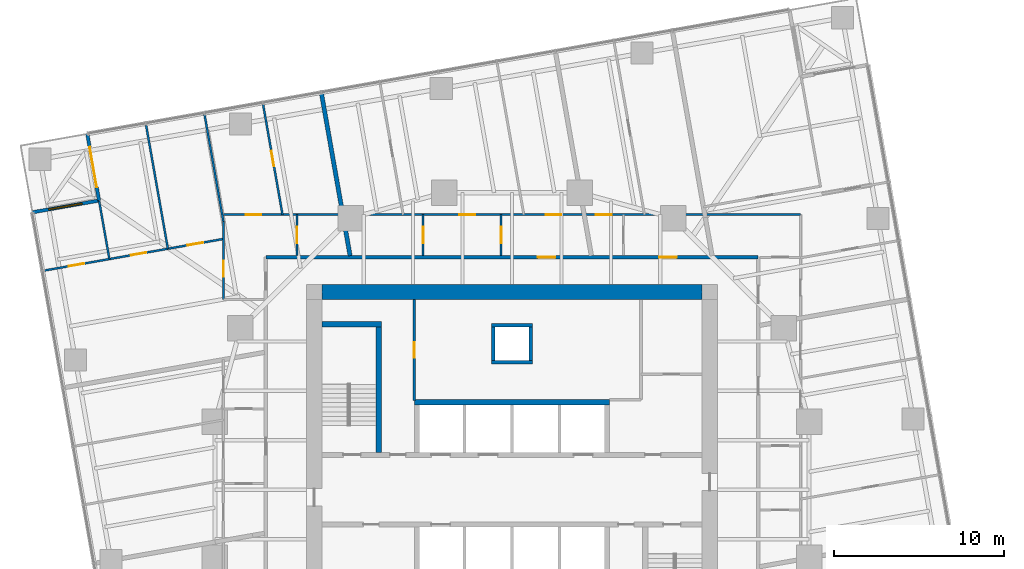
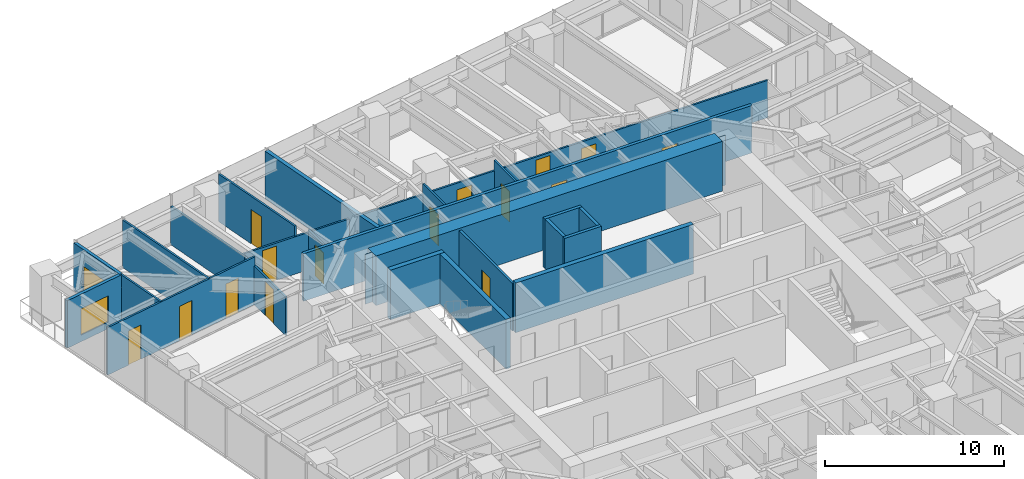
# One storey, part 12 of 14: 23 walls, 16 doors, 1 window, 17 openings.
"""IFC4 building model written with IfcOpenShell, lengths in metres."""

import ifcopenshell
import ifcopenshell.guid

model = None  # the IFC model being written
_history = None  # IfcOwnerHistory: only IFC2X3 demands one
_inside = {}  # id of a spatial element -> (the spatial element, [elements in it])
_under = {}  # id of a project, library or spatial element -> (it, [spatial elements below it])
_declared = {}  # id of a project -> (the project, [libraries it declares])
_typed = {}  # id of a type object -> (the type object, [elements of that type])
_made_of = {}  # id of a material, layer set ... -> (it, [elements and type objects made of it])


def new_model(schema):
    """Start an empty IFC model of exactly this schema.

    Asked for "IFC4X3", IfcOpenShell would pick the latest addendum, in which some entities
    have other attributes; the version numbers below select the first issue.
    IFC2X3 requires an IfcOwnerHistory on every rooted entity: one is made here for all.
    """
    global model, _history
    if schema == "IFC4X3":
        model = ifcopenshell.file(schema_version=(4, 3, 0, 0))
    else:
        model = ifcopenshell.file(schema=schema)
    _inside.clear()
    _under.clear()
    _declared.clear()
    _typed.clear()
    _made_of.clear()
    _history = None
    if model.schema == "IFC2X3":
        org = make("IfcOrganization", Name="unknown")
        user = make(
            "IfcPersonAndOrganization",
            ThePerson=make("IfcPerson", FamilyName="unknown"),
            TheOrganization=org,
        )
        app = make(
            "IfcApplication",
            ApplicationDeveloper=org,
            Version="unknown",
            ApplicationFullName="unknown",
            ApplicationIdentifier="unknown",
        )
        _history = make(
            "IfcOwnerHistory",
            OwningUser=user,
            OwningApplication=app,
            ChangeAction="ADDED",
            CreationDate=0,
        )
    return model


def make(cls, **values):
    """One entity of the class cls with the attributes given. An attribute that is None is left unset."""
    return model.create_entity(
        cls, **{name: value for name, value in values.items() if value is not None}
    )


def rooted(cls, **values):
    """An entity with a GlobalId (a new one), such as an element, a storey or a relation."""
    return make(cls, GlobalId=ifcopenshell.guid.new(), OwnerHistory=_history, **values)


def si_unit(unit_type, name, prefix=None):
    """IfcSIUnit, for example si_unit("LENGTHUNIT", "METRE", prefix="MILLI")."""
    return make("IfcSIUnit", UnitType=unit_type, Prefix=prefix, Name=name)


def assignment(units):
    """IfcUnitAssignment: the units of a project."""
    return None if units is None else make("IfcUnitAssignment", Units=units)


def point(xyz):
    """IfcCartesianPoint."""
    return None if xyz is None else make("IfcCartesianPoint", Coordinates=xyz)


def direction(xyz):
    """IfcDirection."""
    return None if xyz is None else make("IfcDirection", DirectionRatios=xyz)


def frame(location, z_axis=None, x_axis=None):
    """IfcAxis2Placement3D, a coordinate frame: its origin and axes. An axis left out is left unset."""
    return make(
        "IfcAxis2Placement3D",
        Location=point(location),
        Axis=direction(z_axis),
        RefDirection=direction(x_axis),
    )


def frame_2d(location, x_axis=None):
    """IfcAxis2Placement2D, a coordinate frame in the plane: its origin and x axis."""
    return make(
        "IfcAxis2Placement2D", Location=point(location), RefDirection=direction(x_axis)
    )


def origin():
    """The frame at (0, 0, 0) with its axes left unset."""
    return frame((0.0, 0.0, 0.0))


def place(relative_to, where):
    """IfcLocalPlacement: puts the frame where relative to a parent placement (None: the world)."""
    return make(
        "IfcLocalPlacement", PlacementRelTo=relative_to, RelativePlacement=where
    )


def context(
    kind, dimensions, precision=None, world=None, true_north=None, identifier=None
):
    """IfcGeometricRepresentationContext, for example the 3D "Model" context."""
    return make(
        "IfcGeometricRepresentationContext",
        ContextIdentifier=identifier,
        ContextType=kind,
        CoordinateSpaceDimension=dimensions,
        Precision=precision,
        WorldCoordinateSystem=world,
        TrueNorth=true_north,
    )


def subcontext(parent, identifier, kind, view, scale=None):
    """IfcGeometricRepresentationSubContext, for example "Body" below "Model"."""
    return make(
        "IfcGeometricRepresentationSubContext",
        ContextIdentifier=identifier,
        ContextType=kind,
        ParentContext=parent,
        TargetScale=scale,
        TargetView=view,
    )


def project(units=None, contexts=None):
    """IfcProject with its units and contexts."""
    return rooted(
        "IfcProject",
        Name="project",
        RepresentationContexts=contexts,
        UnitsInContext=assignment(units),
    )


def spatial(cls, under=None, at=None, **own):
    """A site, building, storey or space (cls), placed at a placement, below another one or the project."""
    s = rooted(cls, ObjectPlacement=at, **own)
    if under is not None:
        _under.setdefault(under.id(), (under, []))[1].append(s)
    return s


def polyline(points):
    """IfcPolyline through the points."""
    return make("IfcPolyline", Points=[point(p) for p in points])


def profile(cls, at=None, kind="AREA", **sizes):
    """A parametric profile (cls). Its sizes go by their IFC names, for example OverallWidth=200.0."""
    return make(cls, ProfileType=kind, Position=at, **sizes)


def rectangle(**sizes):
    """IfcRectangleProfileDef."""
    return profile("IfcRectangleProfileDef", **sizes)


def outline(outer, holes=None, kind="AREA"):
    """IfcArbitraryClosedProfileDef: a profile drawn as a closed curve; with holes, ...WithVoids."""
    if holes is None:
        return make("IfcArbitraryClosedProfileDef", ProfileType=kind, OuterCurve=outer)
    return make(
        "IfcArbitraryProfileDefWithVoids",
        ProfileType=kind,
        OuterCurve=outer,
        InnerCurves=holes,
    )


def extrude(swept, where, along, depth):
    """IfcExtrudedAreaSolid: the profile swept, set in the frame where, extruded along a direction by depth."""
    return make(
        "IfcExtrudedAreaSolid",
        SweptArea=swept,
        Position=where,
        ExtrudedDirection=direction(along),
        Depth=depth,
    )


def shape(context_of_items, identifier, shape_type, items):
    """IfcShapeRepresentation: the items that make up one representation, for example the "Body"."""
    return make(
        "IfcShapeRepresentation",
        ContextOfItems=context_of_items,
        RepresentationIdentifier=identifier,
        RepresentationType=shape_type,
        Items=items,
    )


def material(Name=None, Category=None):
    """IfcMaterial."""
    return make("IfcMaterial", Name=Name, Category=Category)


def layer(
    of_material, thickness, ventilated=None, Name=None, Category=None, Priority=None
):
    """IfcMaterialLayer: one layer of a wall or slab, of a material (None: an air gap)."""
    return make(
        "IfcMaterialLayer",
        Material=of_material,
        LayerThickness=thickness,
        IsVentilated=ventilated,
        Name=Name,
        Category=Category,
        Priority=Priority,
    )


def layer_set(layers, Name=None):
    """IfcMaterialLayerSet."""
    return make("IfcMaterialLayerSet", MaterialLayers=layers, LayerSetName=Name)


def made_of(thing, what):
    """Note that an element or type object is made of a material, layer set ...; save() writes the relation."""
    if what is not None:
        _made_of.setdefault(what.id(), (what, []))[1].append(thing)
    return thing


def type_object(cls, material=None, **own):
    """A type object (cls), such as IfcWallType, which elements share."""
    return made_of(rooted(cls, **own), material)


def element(
    cls,
    number,
    at=None,
    inside=None,
    cuts=None,
    type_object=None,
    material=None,
    context=None,
    identifier="Body",
    shape_type=None,
    held_by="IfcProductDefinitionShape",
    body=None,
    shapes=None,
    **own,
):
    """One element of the class cls, such as IfcWall. Its Tag is "e" and its number.

    at: its placement. inside: the storey or other place that contains it. cuts: it is an
    opening in that element (IfcRelVoidsElement). A single representation is given by context,
    identifier, shape_type and body (its items); several are given by shapes. held_by: the class
    of the entity that holds the representations. save() writes the other relations.
    """
    e = rooted(cls, Tag="e%d" % number, ObjectPlacement=at, **own)
    if body is not None:
        shapes = [shape(context, identifier, shape_type, body)]
    if shapes is not None:
        e.Representation = make(held_by, Representations=shapes)
    if inside is not None:
        _inside.setdefault(inside.id(), (inside, []))[1].append(e)
    if cuts is not None:
        rooted(
            "IfcRelVoidsElement", RelatingBuildingElement=cuts, RelatedOpeningElement=e
        )
    if type_object is not None:
        _typed.setdefault(type_object.id(), (type_object, []))[1].append(e)
    return made_of(e, material)


def fill(opening, filler):
    """IfcRelFillsElement: the door or window that sits in an opening."""
    return rooted(
        "IfcRelFillsElement",
        RelatingOpeningElement=opening,
        RelatedBuildingElement=filler,
    )


def aggregate(whole, parts):
    """IfcRelAggregates: a whole, such as a stair, and the parts it consists of."""
    return rooted("IfcRelAggregates", RelatingObject=whole, RelatedObjects=parts)


def save(model, path):
    """Write the relations noted so far, then the file.

    IfcRelAggregates (storeys below a building ...), IfcRelContainedInSpatialStructure (elements
    in a storey), IfcRelDefinesByType, IfcRelAssociatesMaterial and IfcRelDeclares: one each for
    every whole, place, type object, material and project.
    """
    for whole, parts in _under.values():
        aggregate(whole, parts)
    for where, things in _inside.values():
        rooted(
            "IfcRelContainedInSpatialStructure",
            RelatedElements=things,
            RelatingStructure=where,
        )
    for kind, things in _typed.values():
        rooted("IfcRelDefinesByType", RelatedObjects=things, RelatingType=kind)
    for what, things in _made_of.values():
        rooted("IfcRelAssociatesMaterial", RelatedObjects=things, RelatingMaterial=what)
    for by, libraries in _declared.values():
        rooted("IfcRelDeclares", RelatingContext=by, RelatedDefinitions=libraries)
    model.write(path)


model = new_model("IFC4")

# Units and contexts
model_context = context("Model", 3, precision=1e-05, world=origin(), true_north=direction((0.0, 1.0)))
body_context = subcontext(model_context, "Body", "Model", "MODEL_VIEW")
ifc_project = project(units=[si_unit("LENGTHUNIT", "METRE"), si_unit("AREAUNIT", "SQUARE_METRE"), si_unit("VOLUMEUNIT", "CUBIC_METRE"), si_unit("PLANEANGLEUNIT", "RADIAN"), si_unit("MASSUNIT", "GRAM", prefix="KILO")], contexts=[model_context])

# Site, building, storey
site_placement = place(None, origin())
site = spatial("IfcSite", under=ifc_project, at=site_placement, CompositionType="ELEMENT")
building_placement = place(site_placement, origin())
building = spatial("IfcBuilding", under=site, at=building_placement, Name="Torsade Residences", CompositionType="ELEMENT")
storey_placement = place(building_placement, frame((0.0, 0.0, 93.0)))
storey = spatial("IfcBuildingStorey", under=building, at=storey_placement, Name="L25", CompositionType="ELEMENT", Elevation=93.0)

# Walls
ifc_material_1 = material(Name="Concrete 80 MPa", Category="concrete")
ifc_layer_1 = layer(ifc_material_1, 0.300048828125)
ifc_layer_set_1 = layer_set([ifc_layer_1], Name="Concrete 80 MPa")
wall_type_1 = type_object("IfcWallType", Name="CORE INTERNAL WALL 300", PredefinedType="SHEAR", material=ifc_layer_set_1)
wall_1_placement = place(storey_placement, frame((34.25, 35.14990234375, 0.0), z_axis=(0.0, 0.0, 1.0), x_axis=(1.0, 0.0, 0.0)))
element("IfcWall", 1, at=wall_1_placement, inside=storey, type_object=wall_type_1, Name="Core wall BN L25", PredefinedType="SHEAR", context=body_context, shape_type="SweptSolid", body=[
    extrude(rectangle(XDim=11.5, YDim=0.300048828125, at=frame_2d((5.75, 0.0))), origin(), (0.0, 0.0, 1.0), 3.39990234375),
])
wall_2_placement = place(storey_placement, frame((32.14990234375, 32.199951171875, 0.0), z_axis=(0.0, 0.0, 1.0), x_axis=(0.0, 1.0, 0.0)))
element("IfcWall", 2, at=wall_2_placement, inside=storey, type_object=wall_type_1, Name="Core wall ST1E L25", PredefinedType="SHEAR", context=body_context, shape_type="SweptSolid", body=[
    extrude(rectangle(XDim=7.699951171875, YDim=0.300048828125, at=frame_2d((3.85009765625, 0.0))), origin(), (0.0, 0.0, 1.0), 3.39990234375),
])
wall_3_placement = place(storey_placement, frame((28.800048828125, 39.75, 0.0), z_axis=(0.0, 0.0, 1.0), x_axis=(1.0, 0.0, 0.0)))
element("IfcWall", 3, at=wall_3_placement, inside=storey, type_object=wall_type_1, Name="Core wall ST1N L25", PredefinedType="SHEAR", context=body_context, shape_type="SweptSolid", body=[
    extrude(rectangle(XDim=3.5, YDim=0.300048828125, at=frame_2d((1.75, 0.0))), origin(), (0.0, 0.0, 1.0), 3.39990234375),
])
ifc_material_2 = material(Name="Concrete 80 MPa", Category="concrete")
ifc_layer_2 = layer(ifc_material_2, 0.89990234375)
ifc_layer_set_2 = layer_set([ifc_layer_2], Name="Concrete 80 MPa")
wall_type_2 = type_object("IfcWallType", Name="CORE WALL 900", PredefinedType="SHEAR", material=ifc_layer_set_2)
wall_4_placement = place(storey_placement, frame((28.800048828125, 41.64990234375, 0.0), z_axis=(0.0, 0.0, 1.0), x_axis=(1.0, 0.0, 0.0)))
element("IfcWall", 4, at=wall_4_placement, inside=storey, type_object=wall_type_2, Name="Core wall N L25", PredefinedType="SHEAR", context=body_context, shape_type="SweptSolid", body=[
    extrude(outline(polyline([(0.0, -0.449951171875), (22.39990234375, -0.449951171875), (22.39990234375, -0.02490234375), (22.849853515625, -0.02490234375), (22.849853515625, 0.02490234375), (22.39990234375, 0.02490234375), (22.39990234375, 0.449951171875), (0.0, 0.449951171875), (0.0, 0.02490234375), (-0.449951171875, 0.02490234375), (-0.449951171875, -0.02490234375), (0.0, -0.02490234375), (0.0, -0.449951171875)])), origin(), (0.0, 0.0, 1.0), 3.39990234375),
])

# Wall, openings, doors
ifc_material_3 = material(Name="Plasterboard on steel stud", Category="steel")
ifc_layer_3 = layer(ifc_material_3, 0.199951171875)
ifc_layer_set_3 = layer_set([ifc_layer_3], Name="Plasterboard on steel stud")
wall_type_3 = type_object("IfcWallType", Name="CORRIDOR WALL 200", PredefinedType="PARTITIONING", material=ifc_layer_set_3)
wall_5_placement = place(storey_placement, frame((54.5, 43.699951171875, 0.0), z_axis=(0.0, 0.0, 1.0), x_axis=(-1.0, 0.0, 0.0)))
wall_5 = element("IfcWall", 5, at=wall_5_placement, inside=storey, type_object=wall_type_3, Name="Corridor wall L25", PredefinedType="PARTITIONING", context=body_context, shape_type="SweptSolid", body=[
    extrude(rectangle(XDim=29.0, YDim=0.199951171875, at=frame_2d((14.5, 0.0))), origin(), (0.0, 0.0, 1.0), 3.25),
])
opening_1_placement = place(wall_5_placement, frame((11.95068359375, 0.0, 0.0)))
opening_1 = element("IfcOpeningElement", 6, at=opening_1_placement, cuts=wall_5, Name="Opening D01", PredefinedType="OPENING", context=body_context, shape_type="SweptSolid", body=[
    extrude(rectangle(XDim=1.02001953125, YDim=2.340087890625, at=frame_2d((0.510009765625, 1.169921875))), frame((0.0, 0.10986328125, 0.0), z_axis=(0.0, -1.0, 0.0), x_axis=(1.0, 0.0, 0.0)), (0.0, 0.0, 1.0), 0.219970703125),
])
opening_2_placement = place(wall_5_placement, frame((4.79541015625, 0.0, 0.0)))
opening_2 = element("IfcOpeningElement", 7, at=opening_2_placement, cuts=wall_5, Name="Opening D01", PredefinedType="OPENING", context=body_context, shape_type="SweptSolid", body=[
    extrude(rectangle(XDim=1.02001953125, YDim=2.340087890625, at=frame_2d((0.510009765625, 1.169921875))), frame((0.0, 0.10986328125, 0.0), z_axis=(0.0, -1.0, 0.0), x_axis=(1.0, 0.0, 0.0)), (0.0, 0.0, 1.0), 0.219970703125),
])
ifc_material_4 = material(Name="Solid-core timber fire door", Category="wood")
door_type_1 = type_object("IfcDoorType", Name="APARTMENT ENTRY DOOR 1020x2340", OperationType="NOTDEFINED", PredefinedType="DOOR", material=ifc_material_4)
door_1_placement = place(opening_1_placement, origin())
door_1 = element("IfcDoor", 8, at=door_1_placement, inside=storey, type_object=door_type_1, Name="Door Residential corridor to Kitchen and dining", OperationType="SINGLE_SWING_LEFT", OverallHeight=2.340087890625, OverallWidth=1.02001953125, PredefinedType="DOOR", context=body_context, shape_type="SweptSolid", body=[
    extrude(rectangle(XDim=1.02001953125, YDim=2.340087890625, at=frame_2d((0.510009765625, 1.169921875))), frame((0.0, 0.02490234375, 0.0), z_axis=(0.0, -1.0, 0.0), x_axis=(1.0, 0.0, 0.0)), (0.0, 0.0, 1.0), 0.050048828125),
])
fill(opening_1, door_1)
door_2_placement = place(opening_2_placement, origin())
door_2 = element("IfcDoor", 9, at=door_2_placement, inside=storey, type_object=door_type_1, Name="Door Residential corridor to Kitchen and dining", OperationType="SINGLE_SWING_RIGHT", OverallHeight=2.340087890625, OverallWidth=1.02001953125, PredefinedType="DOOR", context=body_context, shape_type="SweptSolid", body=[
    extrude(rectangle(XDim=1.02001953125, YDim=2.340087890625, at=frame_2d((0.510009765625, 1.169921875))), frame((0.0, 0.02490234375, 0.0), z_axis=(0.0, -1.0, 0.0), x_axis=(1.0, 0.0, 0.0)), (0.0, 0.0, 1.0), 0.050048828125),
])
fill(opening_2, door_2)

ifc_material_5 = material(Name="Plasterboard on steel stud", Category="steel")
ifc_layer_4 = layer(ifc_material_5, 0.1201171875)
ifc_layer_set_4 = layer_set([ifc_layer_4], Name="Plasterboard on steel stud")
wall_type_4 = type_object("IfcWallType", Name="PARTITION 120", PredefinedType="PARTITIONING", material=ifc_layer_set_4)
wall_6_placement = place(storey_placement, frame((23.0, 46.199951171875, 0.0), z_axis=(0.0, 0.0, 1.0), x_axis=(1.0, 0.0, 0.0)))
wall_6 = element("IfcWall", 10, at=wall_6_placement, inside=storey, type_object=wall_type_4, Name="Partition L25", PredefinedType="PARTITIONING", context=body_context, shape_type="SweptSolid", body=[
    extrude(rectangle(XDim=34.0, YDim=0.1201171875, at=frame_2d((17.0, 0.0))), origin(), (0.0, 0.0, 1.0), 2.550048828125),
])
opening_3_placement = place(wall_6_placement, frame((18.989013671875, 0.0, 0.0)))
opening_3 = element("IfcOpeningElement", 11, at=opening_3_placement, cuts=wall_6, Name="Opening D02", PredefinedType="OPENING", context=body_context, shape_type="SweptSolid", body=[
    extrude(rectangle(XDim=0.919921875, YDim=2.340087890625, at=frame_2d((0.4599609375, 1.169921875))), frame((0.0, 0.070068359375, 0.0), z_axis=(0.0, -1.0, 0.0), x_axis=(1.0, 0.0, 0.0)), (0.0, 0.0, 1.0), 0.14013671875),
])
opening_4_placement = place(wall_6_placement, frame((1.30615234375, 0.0, 0.0)))
opening_4 = element("IfcOpeningElement", 12, at=opening_4_placement, cuts=wall_6, Name="Opening D02", PredefinedType="OPENING", context=body_context, shape_type="SweptSolid", body=[
    extrude(rectangle(XDim=0.919921875, YDim=2.340087890625, at=frame_2d((0.4599609375, 1.169921875))), frame((0.0, 0.070068359375, 0.0), z_axis=(0.0, -1.0, 0.0), x_axis=(1.0, 0.0, 0.0)), (0.0, 0.0, 1.0), 0.14013671875),
])
opening_5_placement = place(wall_6_placement, frame((13.883544921875, 0.0, 0.0)))
opening_5 = element("IfcOpeningElement", 13, at=opening_5_placement, cuts=wall_6, Name="Opening D05", PredefinedType="OPENING", context=body_context, shape_type="SweptSolid", body=[
    extrude(rectangle(XDim=0.9599609375, YDim=2.10009765625, at=frame_2d((0.47998046875, 1.050048828125))), frame((0.0, 0.070068359375, 0.0), z_axis=(0.0, -1.0, 0.0), x_axis=(1.0, 0.0, 0.0)), (0.0, 0.0, 1.0), 0.14013671875),
])
opening_6_placement = place(wall_6_placement, frame((21.929443359375, 0.0, 0.0)))
opening_6 = element("IfcOpeningElement", 14, at=opening_6_placement, cuts=wall_6, Name="Opening D05", PredefinedType="OPENING", context=body_context, shape_type="SweptSolid", body=[
    extrude(rectangle(XDim=0.9599609375, YDim=2.10009765625, at=frame_2d((0.47998046875, 1.050048828125))), frame((0.0, 0.070068359375, 0.0), z_axis=(0.0, -1.0, 0.0), x_axis=(1.0, 0.0, 0.0)), (0.0, 0.0, 1.0), 0.14013671875),
])
ifc_material_6 = material(Name="Hollow-core timber door in a steel cavity frame", Category="steel")
door_type_2 = type_object("IfcDoorType", Name="BATHROOM CAVITY SLIDING DOOR 960", OperationType="SLIDING_TO_LEFT", PredefinedType="DOOR", material=ifc_material_6)
door_3_placement = place(opening_5_placement, origin())
door_3 = element("IfcDoor", 15, at=door_3_placement, inside=storey, type_object=door_type_2, Name="Door Bathroom to Living room", OperationType="SLIDING_TO_LEFT", OverallHeight=2.10009765625, OverallWidth=0.9599609375, PredefinedType="DOOR", context=body_context, shape_type="SweptSolid", body=[
    extrude(rectangle(XDim=0.9599609375, YDim=2.10009765625, at=frame_2d((0.47998046875, 1.050048828125))), frame((0.0, 0.02490234375, 0.0), z_axis=(0.0, -1.0, 0.0), x_axis=(1.0, 0.0, 0.0)), (0.0, 0.0, 1.0), 0.050048828125),
])
fill(opening_5, door_3)
door_4_placement = place(opening_6_placement, origin())
door_4 = element("IfcDoor", 16, at=door_4_placement, inside=storey, type_object=door_type_2, Name="Door Bathroom to Bedroom 1", OperationType="SLIDING_TO_LEFT", OverallHeight=2.10009765625, OverallWidth=0.9599609375, PredefinedType="DOOR", context=body_context, shape_type="SweptSolid", body=[
    extrude(rectangle(XDim=0.9599609375, YDim=2.10009765625, at=frame_2d((0.47998046875, 1.050048828125))), frame((0.0, 0.02490234375, 0.0), z_axis=(0.0, -1.0, 0.0), x_axis=(1.0, 0.0, 0.0)), (0.0, 0.0, 1.0), 0.050048828125),
])
fill(opening_6, door_4)
ifc_material_7 = material(Name="Hollow-core timber door", Category="wood")
door_type_3 = type_object("IfcDoorType", Name="INTERNAL DOOR 920x2340", OperationType="NOTDEFINED", PredefinedType="DOOR", material=ifc_material_7)
door_5_placement = place(opening_3_placement, origin())
door_5 = element("IfcDoor", 17, at=door_5_placement, inside=storey, type_object=door_type_3, Name="Door Kitchen and dining to Bedroom 1", OperationType="SINGLE_SWING_RIGHT", OverallHeight=2.340087890625, OverallWidth=0.919921875, PredefinedType="DOOR", context=body_context, shape_type="SweptSolid", body=[
    extrude(rectangle(XDim=0.919921875, YDim=2.340087890625, at=frame_2d((0.4599609375, 1.169921875))), frame((0.0, 0.02490234375, 0.0), z_axis=(0.0, -1.0, 0.0), x_axis=(1.0, 0.0, 0.0)), (0.0, 0.0, 1.0), 0.050048828125),
])
fill(opening_3, door_5)
door_6_placement = place(opening_4_placement, origin())
door_6 = element("IfcDoor", 18, at=door_6_placement, inside=storey, type_object=door_type_3, Name="Door Kitchen and dining to Family room", OperationType="SINGLE_SWING_RIGHT", OverallHeight=2.340087890625, OverallWidth=0.919921875, PredefinedType="DOOR", context=body_context, shape_type="SweptSolid", body=[
    extrude(rectangle(XDim=0.919921875, YDim=2.340087890625, at=frame_2d((0.4599609375, 1.169921875))), frame((0.0, 0.02490234375, 0.0), z_axis=(0.0, -1.0, 0.0), x_axis=(1.0, 0.0, 0.0)), (0.0, 0.0, 1.0), 0.050048828125),
])
fill(opening_4, door_6)

# Wall, opening, door
wall_7_placement = place(storey_placement, frame((39.36474609375, 43.800048828125, 0.0), z_axis=(0.0, 0.0, 1.0), x_axis=(0.0, 1.0, 0.0)))
wall_7 = element("IfcWall", 19, at=wall_7_placement, inside=storey, type_object=wall_type_4, Name="Partition L25", PredefinedType="PARTITIONING", context=body_context, shape_type="SweptSolid", body=[
    extrude(rectangle(XDim=2.39990234375, YDim=0.1201171875, at=frame_2d((1.199951171875, 0.0))), origin(), (0.0, 0.0, 1.0), 3.25),
])
opening_7_placement = place(wall_7_placement, frame((0.719970703125, 0.0, 0.0)))
opening_7 = element("IfcOpeningElement", 20, at=opening_7_placement, cuts=wall_7, Name="Opening D05", PredefinedType="OPENING", context=body_context, shape_type="SweptSolid", body=[
    extrude(rectangle(XDim=0.9599609375, YDim=2.10009765625, at=frame_2d((0.47998046875, 1.050048828125))), frame((0.0, 0.070068359375, 0.0), z_axis=(0.0, -1.0, 0.0), x_axis=(1.0, 0.0, 0.0)), (0.0, 0.0, 1.0), 0.14013671875),
])
door_7_placement = place(opening_7_placement, origin())
door_7 = element("IfcDoor", 21, at=door_7_placement, inside=storey, type_object=door_type_2, Name="Door Kitchen and dining to Bathroom", OperationType="SLIDING_TO_LEFT", OverallHeight=2.10009765625, OverallWidth=0.9599609375, PredefinedType="DOOR", context=body_context, shape_type="SweptSolid", body=[
    extrude(rectangle(XDim=0.9599609375, YDim=2.10009765625, at=frame_2d((0.47998046875, 1.050048828125))), frame((0.0, 0.02490234375, 0.0), z_axis=(0.0, -1.0, 0.0), x_axis=(1.0, 0.0, 0.0)), (0.0, 0.0, 1.0), 0.050048828125),
])
fill(opening_7, door_7)

wall_8_placement = place(storey_placement, frame((34.7626953125, 43.800048828125, 0.0), z_axis=(0.0, 0.0, 1.0), x_axis=(0.0, 1.0, 0.0)))
wall_8 = element("IfcWall", 22, at=wall_8_placement, inside=storey, type_object=wall_type_4, Name="Partition L25", PredefinedType="PARTITIONING", context=body_context, shape_type="SweptSolid", body=[
    extrude(rectangle(XDim=2.39990234375, YDim=0.1201171875, at=frame_2d((1.199951171875, 0.0))), origin(), (0.0, 0.0, 1.0), 3.25),
])
opening_8_placement = place(wall_8_placement, frame((0.719970703125, 0.0, 0.0)))
opening_8 = element("IfcOpeningElement", 23, at=opening_8_placement, cuts=wall_8, Name="Opening D05", PredefinedType="OPENING", context=body_context, shape_type="SweptSolid", body=[
    extrude(rectangle(XDim=0.9599609375, YDim=2.10009765625, at=frame_2d((0.47998046875, 1.050048828125))), frame((0.0, 0.070068359375, 0.0), z_axis=(0.0, -1.0, 0.0), x_axis=(1.0, 0.0, 0.0)), (0.0, 0.0, 1.0), 0.14013671875),
])
door_8_placement = place(opening_8_placement, origin())
door_8 = element("IfcDoor", 24, at=door_8_placement, inside=storey, type_object=door_type_2, Name="Door Bathroom to Ensuite", OperationType="SLIDING_TO_LEFT", OverallHeight=2.10009765625, OverallWidth=0.9599609375, PredefinedType="DOOR", context=body_context, shape_type="SweptSolid", body=[
    extrude(rectangle(XDim=0.9599609375, YDim=2.10009765625, at=frame_2d((0.47998046875, 1.050048828125))), frame((0.0, 0.02490234375, 0.0), z_axis=(0.0, -1.0, 0.0), x_axis=(1.0, 0.0, 0.0)), (0.0, 0.0, 1.0), 0.050048828125),
])
fill(opening_8, door_8)

wall_9_placement = place(storey_placement, frame((27.334716796875, 46.199951171875, 0.0), z_axis=(0.0, 0.0, 1.0), x_axis=(0.0, -1.0, 0.0)))
wall_9 = element("IfcWall", 25, at=wall_9_placement, inside=storey, type_object=wall_type_4, Name="Partition L25", PredefinedType="PARTITIONING", context=body_context, shape_type="SweptSolid", body=[
    extrude(rectangle(XDim=2.39990234375, YDim=0.1201171875, at=frame_2d((1.199951171875, 0.0))), origin(), (0.0, 0.0, 1.0), 2.721923828125),
])
opening_9_placement = place(wall_9_placement, frame((0.719970703125, 0.0, 0.0)))
opening_9 = element("IfcOpeningElement", 26, at=opening_9_placement, cuts=wall_9, Name="Opening D05", PredefinedType="OPENING", context=body_context, shape_type="SweptSolid", body=[
    extrude(rectangle(XDim=0.9599609375, YDim=2.10009765625, at=frame_2d((0.47998046875, 1.050048828125))), frame((0.0, 0.070068359375, 0.0), z_axis=(0.0, -1.0, 0.0), x_axis=(1.0, 0.0, 0.0)), (0.0, 0.0, 1.0), 0.14013671875),
])
door_9_placement = place(opening_9_placement, origin())
door_9 = element("IfcDoor", 27, at=door_9_placement, inside=storey, type_object=door_type_2, Name="Door Kitchen and dining to Ensuite", OperationType="SLIDING_TO_LEFT", OverallHeight=2.10009765625, OverallWidth=0.9599609375, PredefinedType="DOOR", context=body_context, shape_type="SweptSolid", body=[
    extrude(rectangle(XDim=0.9599609375, YDim=2.10009765625, at=frame_2d((0.47998046875, 1.050048828125))), frame((0.0, 0.02490234375, 0.0), z_axis=(0.0, -1.0, 0.0), x_axis=(1.0, 0.0, 0.0)), (0.0, 0.0, 1.0), 0.050048828125),
])
fill(opening_9, door_9)

wall_10_placement = place(storey_placement, frame((23.0, 41.207763671875, 0.0), z_axis=(0.0, 0.0, 1.0), x_axis=(0.0, 1.0, 0.0)))
wall_10 = element("IfcWall", 28, at=wall_10_placement, inside=storey, type_object=wall_type_4, Name="Partition L25", PredefinedType="PARTITIONING", context=body_context, shape_type="SweptSolid", body=[
    extrude(rectangle(XDim=4.581298828125, YDim=0.1201171875, at=frame_2d((2.29052734375, 0.0))), origin(), (0.0, 0.0, 1.0), 2.637939453125),
])
opening_10_placement = place(wall_10_placement, frame((1.34765625, 0.0, 0.0)))
opening_10 = element("IfcOpeningElement", 29, at=opening_10_placement, cuts=wall_10, Name="Opening D02", PredefinedType="OPENING", context=body_context, shape_type="SweptSolid", body=[
    extrude(rectangle(XDim=0.919921875, YDim=2.340087890625, at=frame_2d((0.4599609375, 1.169921875))), frame((0.0, 0.070068359375, 0.0), z_axis=(0.0, -1.0, 0.0), x_axis=(1.0, 0.0, 0.0)), (0.0, 0.0, 1.0), 0.14013671875),
])
door_10_placement = place(opening_10_placement, origin())
door_10 = element("IfcDoor", 30, at=door_10_placement, inside=storey, type_object=door_type_3, Name="Door Kitchen and dining to Living room", OperationType="SINGLE_SWING_RIGHT", OverallHeight=2.340087890625, OverallWidth=0.919921875, PredefinedType="DOOR", context=body_context, shape_type="SweptSolid", body=[
    extrude(rectangle(XDim=0.919921875, YDim=2.340087890625, at=frame_2d((0.4599609375, 1.169921875))), frame((0.0, 0.02490234375, 0.0), z_axis=(0.0, -1.0, 0.0), x_axis=(1.0, 0.0, 0.0)), (0.0, 0.0, 1.0), 0.050048828125),
])
fill(opening_10, door_10)

# Wall, openings, doors
wall_11_placement = place(storey_placement, frame((12.38037109375, 42.89990234375, 0.0), z_axis=(0.0, 0.0, 1.0), x_axis=(0.984807253583, 0.173651010046, 0.0)))
wall_11 = element("IfcWall", 31, at=wall_11_placement, inside=storey, type_object=wall_type_4, Name="Partition L25", PredefinedType="PARTITIONING", context=body_context, shape_type="SweptSolid", body=[
    extrude(rectangle(XDim=10.783447265625, YDim=0.1201171875, at=frame_2d((5.3916015625, 0.0))), origin(), (0.0, 0.0, 1.0), 3.25),
])
opening_11_placement = place(wall_11_placement, frame((1.525146484375, 0.0, 0.0)))
opening_11 = element("IfcOpeningElement", 32, at=opening_11_placement, cuts=wall_11, Name="Opening D02", PredefinedType="OPENING", context=body_context, shape_type="SweptSolid", body=[
    extrude(rectangle(XDim=0.919921875, YDim=2.340087890625, at=frame_2d((0.4599609375, 1.169921875))), frame((0.0, 0.070068359375, 0.0), z_axis=(0.0, -1.0, 0.0), x_axis=(1.0, 0.0, 0.0)), (0.0, 0.0, 1.0), 0.14013671875),
])
opening_12_placement = place(wall_11_placement, frame((5.25, 0.0, 0.0)))
opening_12 = element("IfcOpeningElement", 33, at=opening_12_placement, cuts=wall_11, Name="Opening D02", PredefinedType="OPENING", context=body_context, shape_type="SweptSolid", body=[
    extrude(rectangle(XDim=0.919921875, YDim=2.340087890625, at=frame_2d((0.4599609375, 1.169921875))), frame((0.0, 0.070068359375, 0.0), z_axis=(0.0, -1.0, 0.0), x_axis=(1.0, 0.0, 0.0)), (0.0, 0.0, 1.0), 0.14013671875),
])
opening_13_placement = place(wall_11_placement, frame((8.63671875, 0.0, 0.0)))
opening_13 = element("IfcOpeningElement", 34, at=opening_13_placement, cuts=wall_11, Name="Opening D02", PredefinedType="OPENING", context=body_context, shape_type="SweptSolid", body=[
    extrude(rectangle(XDim=0.919921875, YDim=2.340087890625, at=frame_2d((0.4599609375, 1.169921875))), frame((0.0, 0.070068359375, 0.0), z_axis=(0.0, -1.0, 0.0), x_axis=(1.0, 0.0, 0.0)), (0.0, 0.0, 1.0), 0.14013671875),
])
door_11_placement = place(opening_11_placement, origin())
door_11 = element("IfcDoor", 35, at=door_11_placement, inside=storey, type_object=door_type_3, Name="Door Living room to Media room", OperationType="SINGLE_SWING_RIGHT", OverallHeight=2.340087890625, OverallWidth=0.919921875, PredefinedType="DOOR", context=body_context, shape_type="SweptSolid", body=[
    extrude(rectangle(XDim=0.919921875, YDim=2.340087890625, at=frame_2d((0.4599609375, 1.169921875))), frame((0.0, 0.02490234375, 0.0), z_axis=(0.0, -1.0, 0.0), x_axis=(1.0, 0.0, 0.0)), (0.0, 0.0, 1.0), 0.050048828125),
])
fill(opening_11, door_11)
door_12_placement = place(opening_12_placement, origin())
door_12 = element("IfcDoor", 36, at=door_12_placement, inside=storey, type_object=door_type_3, Name="Door Living room to Bedroom 1", OperationType="SINGLE_SWING_LEFT", OverallHeight=2.340087890625, OverallWidth=0.919921875, PredefinedType="DOOR", context=body_context, shape_type="SweptSolid", body=[
    extrude(rectangle(XDim=0.919921875, YDim=2.340087890625, at=frame_2d((0.4599609375, 1.169921875))), frame((0.0, 0.02490234375, 0.0), z_axis=(0.0, -1.0, 0.0), x_axis=(1.0, 0.0, 0.0)), (0.0, 0.0, 1.0), 0.050048828125),
])
fill(opening_12, door_12)
door_13_placement = place(opening_13_placement, origin())
door_13 = element("IfcDoor", 37, at=door_13_placement, inside=storey, type_object=door_type_3, Name="Door Living room to Bedroom 2", OperationType="SINGLE_SWING_LEFT", OverallHeight=2.340087890625, OverallWidth=0.919921875, PredefinedType="DOOR", context=body_context, shape_type="SweptSolid", body=[
    extrude(rectangle(XDim=0.919921875, YDim=2.340087890625, at=frame_2d((0.4599609375, 1.169921875))), frame((0.0, 0.02490234375, 0.0), z_axis=(0.0, -1.0, 0.0), x_axis=(1.0, 0.0, 0.0)), (0.0, 0.0, 1.0), 0.050048828125),
])
fill(opening_13, door_13)

# Walls
wall_12_placement = place(storey_placement, frame((18.431640625, 51.5419921875, 0.0), z_axis=(0.0, 0.0, 1.0), x_axis=(0.173647177755, -0.984807929323, 0.0)))
element("IfcWall", 38, at=wall_12_placement, inside=storey, type_object=wall_type_4, Name="Partition L25", PredefinedType="PARTITIONING", context=body_context, shape_type="SweptSolid", body=[
    extrude(rectangle(XDim=7.4599609375, YDim=0.1201171875, at=frame_2d((3.72998046875, 0.0))), origin(), (0.0, 0.0, 1.0), 3.25),
])
wall_13_placement = place(storey_placement, frame((16.2802734375, 43.587646484375, 0.0), z_axis=(0.0, 0.0, 1.0), x_axis=(-0.173660541335, 0.984805572884, 0.0)))
element("IfcWall", 39, at=wall_13_placement, inside=storey, type_object=wall_type_4, Name="Partition L25", PredefinedType="PARTITIONING", context=body_context, shape_type="SweptSolid", body=[
    extrude(rectangle(XDim=3.459716796875, YDim=0.1201171875, at=frame_2d((1.72998046875, 0.0))), origin(), (0.0, 0.0, 1.0), 3.25),
])
wall_14_placement = place(storey_placement, frame((21.87841796875, 52.149658203125, 0.0), z_axis=(0.0, 0.0, 1.0), x_axis=(0.173653792983, -0.984806762864, 0.0)))
element("IfcWall", 40, at=wall_14_placement, inside=storey, type_object=wall_type_4, Name="Partition L25", PredefinedType="PARTITIONING", context=body_context, shape_type="SweptSolid", body=[
    extrude(rectangle(XDim=6.458740234375, YDim=0.1201171875, at=frame_2d((3.2294921875, 0.0))), origin(), (0.0, 0.0, 1.0), 2.637939453125),
])

# Wall, opening, door
wall_15_placement = place(storey_placement, frame((26.4814453125, 46.199951171875, 0.0), z_axis=(0.0, 0.0, 1.0), x_axis=(-0.173643103339, 0.98480864774, 0.0)))
wall_15 = element("IfcWall", 41, at=wall_15_placement, inside=storey, type_object=wall_type_4, Name="Partition L25", PredefinedType="PARTITIONING", context=body_context, shape_type="SweptSolid", body=[
    extrude(rectangle(XDim=6.65869140625, YDim=0.1201171875, at=frame_2d((3.329345703125, 0.0))), origin(), (0.0, 0.0, 1.0), 3.25),
])
opening_14_placement = place(wall_15_placement, frame((2.889404296875, 0.0, 0.0)))
opening_14 = element("IfcOpeningElement", 42, at=opening_14_placement, cuts=wall_15, Name="Opening D02", PredefinedType="OPENING", context=body_context, shape_type="SweptSolid", body=[
    extrude(rectangle(XDim=0.919921875, YDim=2.340087890625, at=frame_2d((0.4599609375, 1.169921875))), frame((0.0, 0.070068359375, 0.0), z_axis=(0.0, -1.0, 0.0), x_axis=(1.0, 0.0, 0.0)), (0.0, 0.0, 1.0), 0.14013671875),
])
door_14_placement = place(opening_14_placement, origin())
door_14 = element("IfcDoor", 43, at=door_14_placement, inside=storey, type_object=door_type_3, Name="Door Family room to Study", OperationType="SINGLE_SWING_LEFT", OverallHeight=2.340087890625, OverallWidth=0.919921875, PredefinedType="DOOR", context=body_context, shape_type="SweptSolid", body=[
    extrude(rectangle(XDim=0.919921875, YDim=2.340087890625, at=frame_2d((0.4599609375, 1.169921875))), frame((0.0, 0.02490234375, 0.0), z_axis=(0.0, -1.0, 0.0), x_axis=(1.0, 0.0, 0.0)), (0.0, 0.0, 1.0), 0.050048828125),
])
fill(opening_14, door_14)

# Walls
ifc_material_8 = material(Name="Masonry-lined stud party wall", Category="masonry")
ifc_layer_5 = layer(ifc_material_8, 0.25)
ifc_layer_set_5 = layer_set([ifc_layer_5], Name="Masonry-lined stud party wall")
wall_type_5 = type_object("IfcWallType", Name="PARTY WALL 250", PredefinedType="PARTITIONING", material=ifc_layer_set_5)
wall_16_placement = place(storey_placement, frame((28.76513671875, 53.404541015625, 0.0), z_axis=(0.0, 0.0, 1.0), x_axis=(0.173658469802, -0.984805938176, 0.0)))
element("IfcWall", 44, at=wall_16_placement, inside=storey, type_object=wall_type_5, Name="Party wall L25", PredefinedType="PARTITIONING", context=body_context, shape_type="SweptSolid", body=[
    extrude(rectangle(XDim=9.770751953125, YDim=0.25, at=frame_2d((4.88525390625, 0.0))), origin(), (0.0, 0.0, 1.0), 3.25),
])
ifc_material_9 = material(Name="Reinforced blockwork", Category="masonry")
ifc_layer_6 = layer(ifc_material_9, 0.199951171875)
ifc_layer_set_6 = layer_set([ifc_layer_6], Name="Reinforced blockwork")
wall_type_6 = type_object("IfcWallType", Name="RISER SHAFT WALL 200", PredefinedType="SOLIDWALL", material=ifc_layer_set_6)
for number, where, z_axis, x_axis, name in (
    (45, (38.89990234375, 37.60009765625, 0.0), (0.0, 0.0, 1.0), (0.0, 1.0, 0.0), "Core wall RS1a L25"),
    (46, (41.10009765625, 37.60009765625, 0.0), (0.0, 0.0, 1.0), (0.0, 1.0, 0.0), "Core wall RS1b L25"),
):
    element("IfcWall", number, at=place(storey_placement, frame(where, z_axis=z_axis, x_axis=x_axis)), inside=storey, type_object=wall_type_6, Name=name, PredefinedType="SOLIDWALL", context=body_context, shape_type="SweptSolid", body=[
        extrude(rectangle(XDim=2.0, YDim=0.199951171875, at=frame_2d((1.0, 0.0))), origin(), (0.0, 0.0, 1.0), 3.39990234375),
    ])
for number, where, z_axis, x_axis, name in (
    (47, (38.800048828125, 37.5, 0.0), (0.0, 0.0, 1.0), (1.0, 0.0, 0.0), "Core wall RS1c L25"),
    (48, (38.800048828125, 39.699951171875, 0.0), (0.0, 0.0, 1.0), (1.0, 0.0, 0.0), "Core wall RS1d L25"),
):
    element("IfcWall", number, at=place(storey_placement, frame(where, z_axis=z_axis, x_axis=x_axis)), inside=storey, type_object=wall_type_6, Name=name, PredefinedType="SOLIDWALL", context=body_context, shape_type="SweptSolid", body=[
        extrude(rectangle(XDim=2.39990234375, YDim=0.199951171875, at=frame_2d((1.199951171875, 0.0))), origin(), (0.0, 0.0, 1.0), 3.39990234375),
    ])

# Wall, opening, door
ifc_material_10 = material(Name="Reinforced blockwork", Category="masonry")
ifc_layer_7 = layer(ifc_material_10, 0.14990234375)
ifc_layer_set_7 = layer_set([ifc_layer_7], Name="Reinforced blockwork")
wall_type_7 = type_object("IfcWallType", Name="SERVICE ROOM WALL 150", PredefinedType="SOLIDWALL", material=ifc_layer_set_7)
wall_17_placement = place(storey_placement, frame((34.25, 41.199951171875, 0.0), z_axis=(0.0, 0.0, 1.0), x_axis=(0.0, -1.0, 0.0)))
wall_17 = element("IfcWall", 49, at=wall_17_placement, inside=storey, type_object=wall_type_7, Name="Service room wall L25", PredefinedType="SOLIDWALL", context=body_context, shape_type="SweptSolid", body=[
    extrude(rectangle(XDim=5.949951171875, YDim=0.14990234375, at=frame_2d((2.97509765625, 0.0))), origin(), (0.0, 0.0, 1.0), 3.25),
])
opening_15_placement = place(wall_17_placement, frame((2.514892578125, 0.0, 0.0)))
opening_15 = element("IfcOpeningElement", 50, at=opening_15_placement, cuts=wall_17, Name="Opening D06", PredefinedType="OPENING", context=body_context, shape_type="SweptSolid", body=[
    extrude(rectangle(XDim=0.919921875, YDim=2.10009765625, at=frame_2d((0.4599609375, 1.050048828125))), frame((0.0, 0.0849609375, 0.0), z_axis=(0.0, -1.0, 0.0), x_axis=(1.0, 0.0, 0.0)), (0.0, 0.0, 1.0), 0.169921875),
])
ifc_material_11 = material(Name="Steel-framed fire door", Category="steel")
door_type_4 = type_object("IfcDoorType", Name="FIRE DOOR 920", OperationType="NOTDEFINED", PredefinedType="DOOR", material=ifc_material_11)
door_15_placement = place(opening_15_placement, origin())
door_15 = element("IfcDoor", 51, at=door_15_placement, inside=storey, type_object=door_type_4, Name="Door Meter store to Electrical riser room", OperationType="SINGLE_SWING_RIGHT", OverallHeight=2.10009765625, OverallWidth=0.919921875, PredefinedType="DOOR", context=body_context, shape_type="SweptSolid", body=[
    extrude(rectangle(XDim=0.919921875, YDim=2.10009765625, at=frame_2d((0.4599609375, 1.050048828125))), frame((0.0, 0.02490234375, 0.0), z_axis=(0.0, -1.0, 0.0), x_axis=(1.0, 0.0, 0.0)), (0.0, 0.0, 1.0), 0.050048828125),
])
fill(opening_15, door_15)

ifc_material_12 = material(Name="Stone-faced precast concrete 40 MPa panel", Category="masonry")
ifc_layer_8 = layer(ifc_material_12, 0.199951171875)
ifc_layer_set_8 = layer_set([ifc_layer_8], Name="Stone-faced precast concrete 40 MPa panel")
wall_type_8 = type_object("IfcWallType", Name="TERRACE WALL 200", PredefinedType="SOLIDWALL", material=ifc_layer_set_8)
wall_18_placement = place(storey_placement, frame((14.977783203125, 50.9736328125, 0.0), z_axis=(0.0, 0.0, 1.0), x_axis=(0.173646056486, -0.984808127031, 0.0)))
wall_18 = element("IfcWall", 52, at=wall_18_placement, inside=storey, type_object=wall_type_8, Name="Terrace wall L25 8", PredefinedType="SOLIDWALL", context=body_context, shape_type="SweptSolid", body=[
    extrude(rectangle(XDim=4.0, YDim=0.199951171875, at=frame_2d((2.0, 0.0))), origin(), (0.0, 0.0, 1.0), 3.25),
])
opening_16_placement = place(wall_18_placement, frame((0.800048828125, 0.0, 0.0)))
opening_16 = element("IfcOpeningElement", 53, at=opening_16_placement, cuts=wall_18, Name="Opening D10A", PredefinedType="OPENING", context=body_context, shape_type="SweptSolid", body=[
    extrude(rectangle(XDim=2.39990234375, YDim=2.10009765625, at=frame_2d((1.199951171875, 1.050048828125))), frame((0.0, 0.10986328125, 0.0), z_axis=(0.0, -1.0, 0.0), x_axis=(1.0, 0.0, 0.0)), (0.0, 0.0, 1.0), 0.219970703125),
])
ifc_material_13 = material(Name="Aluminium-framed glass door", Category="aluminium")
door_type_5 = type_object("IfcDoorType", Name="TERRACE SLIDING DOOR 2400x2100", OperationType="SLIDING_TO_LEFT", PredefinedType="DOOR", material=ifc_material_13)
door_16_placement = place(opening_16_placement, origin())
door_16 = element("IfcDoor", 54, at=door_16_placement, inside=storey, type_object=door_type_5, Name="Terrace door L25 8", OperationType="SLIDING_TO_LEFT", OverallHeight=2.10009765625, OverallWidth=2.39990234375, PredefinedType="DOOR", context=body_context, shape_type="SweptSolid", body=[
    extrude(rectangle(XDim=2.39990234375, YDim=2.10009765625, at=frame_2d((1.199951171875, 1.050048828125))), frame((0.0, 0.02490234375, 0.0), z_axis=(0.0, -1.0, 0.0), x_axis=(1.0, 0.0, 0.0)), (0.0, 0.0, 1.0), 0.050048828125),
])
fill(opening_16, door_16)

# Wall, opening, window
wall_19_placement = place(storey_placement, frame((15.67236328125, 47.034423828125, 0.0), z_axis=(0.0, 0.0, 1.0), x_axis=(-0.984808127031, -0.173646056486, 0.0)))
wall_19 = element("IfcWall", 55, at=wall_19_placement, inside=storey, type_object=wall_type_8, Name="Terrace wall L25 9", PredefinedType="SOLIDWALL", context=body_context, shape_type="SweptSolid", body=[
    extrude(rectangle(XDim=4.0, YDim=0.199951171875, at=frame_2d((2.0, 0.0))), origin(), (0.0, 0.0, 1.0), 3.25),
])
opening_17_placement = place(wall_19_placement, frame((1.0, 0.0, 0.449951171875)))
opening_17 = element("IfcOpeningElement", 56, at=opening_17_placement, cuts=wall_19, Name="Opening W1B", PredefinedType="OPENING", context=body_context, shape_type="SweptSolid", body=[
    extrude(rectangle(XDim=2.0, YDim=1.800048828125, at=frame_2d((1.0, 0.89990234375))), frame((0.0, 0.10986328125, 0.0), z_axis=(0.0, -1.0, 0.0), x_axis=(1.0, 0.0, 0.0)), (0.0, 0.0, 1.0), 0.219970703125),
])
ifc_material_14 = material(Name="Aluminium-framed glass window", Category="aluminium")
window_type = type_object("IfcWindowType", Name="TERRACE WINDOW 2000x1800", PartitioningType="SINGLE_PANEL", PredefinedType="WINDOW", material=ifc_material_14)
window_placement = place(opening_17_placement, origin())
window = element("IfcWindow", 57, at=window_placement, inside=storey, type_object=window_type, Name="Terrace window L25 9", OverallHeight=1.800048828125, OverallWidth=2.0, PartitioningType="SINGLE_PANEL", PredefinedType="WINDOW", context=body_context, shape_type="SweptSolid", body=[
    extrude(rectangle(XDim=2.0, YDim=1.800048828125, at=frame_2d((1.0, 0.89990234375))), frame((0.0, 0.030029296875, 0.0), z_axis=(0.0, -1.0, 0.0), x_axis=(1.0, 0.0, 0.0)), (0.0, 0.0, 1.0), 0.06005859375),
])
fill(opening_17, window)

save(model, "model.ifc")
